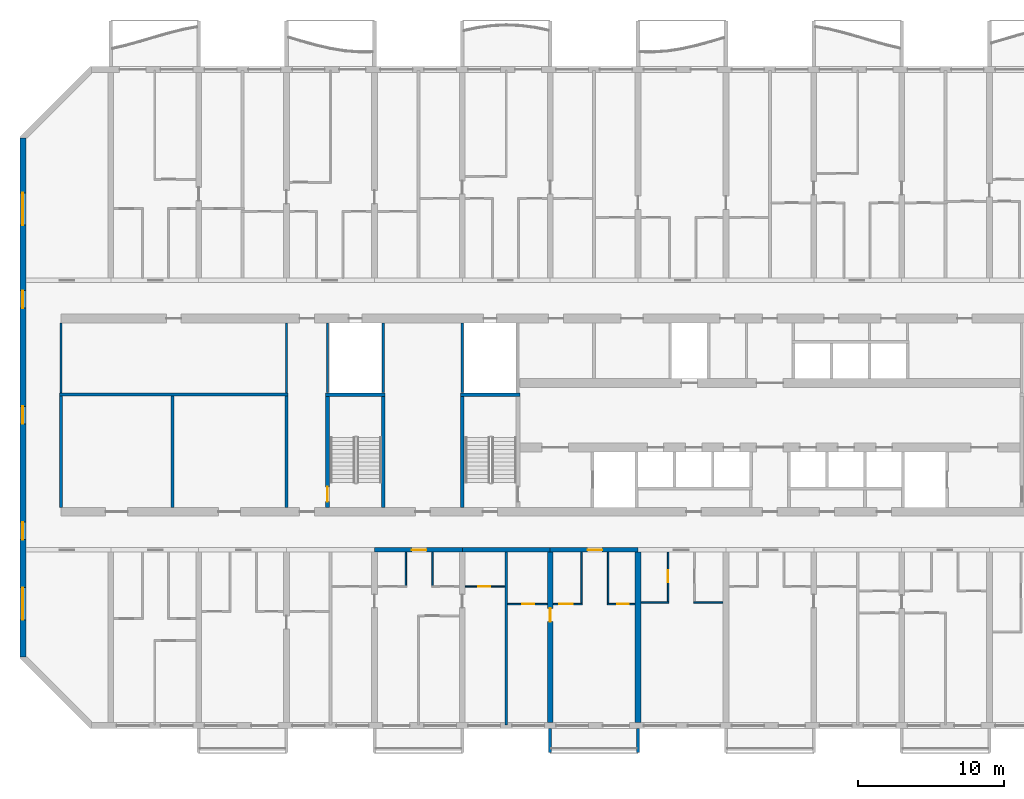
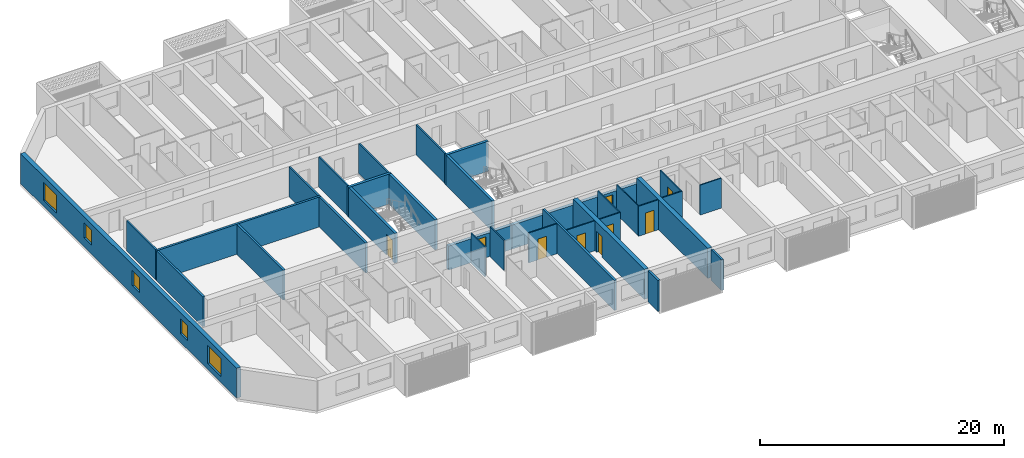
# One storey, part 3 of 38: 34 walls, 9 doors, 5 windows, 14 openings.
"""IFC4 building model written with IfcOpenShell, lengths in metres."""

from ifc_helpers import new_model, si_unit, direction, frame, frame_2d, origin, place, context, subcontext, project, spatial, polyline, rectangle, outline, extrude, source, transform, mapped, material, layer, layer_set, type_object, element, fill, save


model = new_model("IFC4")

# Units and contexts
model_context = context("Model", 3, precision=1e-05, world=origin(), true_north=direction((0.0, 1.0)))
body_context = subcontext(model_context, "Body", "Model", "MODEL_VIEW")
ifc_project = project(units=[si_unit("LENGTHUNIT", "METRE"), si_unit("AREAUNIT", "SQUARE_METRE"), si_unit("VOLUMEUNIT", "CUBIC_METRE"), si_unit("PLANEANGLEUNIT", "RADIAN"), si_unit("MASSUNIT", "GRAM", prefix="KILO")], contexts=[model_context])

# Site, building, storey
site_placement = place(None, origin())
site = spatial("IfcSite", under=ifc_project, at=site_placement, CompositionType="ELEMENT")
building_placement = place(site_placement, origin())
building = spatial("IfcBuilding", under=site, at=building_placement, Name="Poui Terraces", CompositionType="ELEMENT")
storey_placement = place(building_placement, frame((0.0, 0.0, 49.800048828125)))
storey = spatial("IfcBuildingStorey", under=building, at=storey_placement, Name="L13", CompositionType="ELEMENT", Elevation=49.800048828125)

# Walls
ifc_material_1 = material(Name="Fire-rated plasterboard wall")
ifc_layer_1 = layer(ifc_material_1, 0.14990234375)
ifc_layer_set_1 = layer_set([ifc_layer_1], Name="Fire-rated plasterboard wall")
wall_type_1 = type_object("IfcWallType", Name="CORRIDOR WALL 150", PredefinedType="PARTITIONING", material=ifc_layer_set_1)
for number, where, z_axis, x_axis, name in (
    (1, (2.60009765625, 22.699951171875, 0.0), (0.0, 0.0, 1.0), (0.0, 1.0, 0.0), "CORRIDOR WALL 150"),
    (2, (18.0, 22.699951171875, 0.0), (0.0, 0.0, 1.0), (0.0, 1.0, 0.0), "CORRIDOR WALL 150"),
):
    element("IfcWall", number, at=place(storey_placement, frame(where, z_axis=z_axis, x_axis=x_axis)), inside=storey, type_object=wall_type_1, Name=name, PredefinedType="PARTITIONING", context=body_context, shape_type="SweptSolid", body=[
        extrude(rectangle(XDim=4.7900390625, YDim=0.14990234375, at=frame_2d((2.39501953125, 0.0))), origin(), (0.0, 0.0, 1.0), 3.0),
    ])

# Wall, opening, door
ifc_material_2 = material(Name="Concrete 80 MPa", Category="concrete")
ifc_layer_2 = layer(ifc_material_2, 0.300048828125)
ifc_layer_set_2 = layer_set([ifc_layer_2], Name="Concrete 80 MPa")
wall_type_2 = type_object("IfcWallType", Name="CORRIDOR WALL 300 80MPa", PredefinedType="SHEAR", material=ifc_layer_set_2)
wall_1_placement = place(storey_placement, frame((24.0, 12.0, 0.0), z_axis=(0.0, 0.0, 1.0), x_axis=(1.0, 0.0, 0.0)))
wall_1 = element("IfcWall", 3, at=wall_1_placement, inside=storey, type_object=wall_type_2, Name="CORRIDOR WALL LINE B BAY 5", PredefinedType="SHEAR", context=body_context, shape_type="SweptSolid", body=[
    extrude(rectangle(XDim=6.0, YDim=0.300048828125, at=frame_2d((3.0, 0.0))), origin(), (0.0, 0.0, 1.0), 2.39990234375),
])
opening_1_placement = place(wall_1_placement, frame((2.550048828125, 0.0, 0.0)))
opening_1 = element("IfcOpeningElement", 4, at=opening_1_placement, cuts=wall_1, Name="Opening FD30S", PredefinedType="OPENING", context=body_context, shape_type="SweptSolid", body=[
    extrude(rectangle(XDim=1.0, YDim=2.10009765625, at=frame_2d((0.5, 1.050048828125))), frame((0.0, 0.16015625, 0.0), z_axis=(0.0, -1.0, 0.0), x_axis=(1.0, 0.0, 0.0)), (0.0, 0.0, 1.0), 0.320068359375),
])
ifc_material_3 = material(Name="Steel fire door", Category="steel")
door_type_1 = type_object("IfcDoorType", Name="FLAT ENTRANCE DOOR 1000 X 2100", OperationType="NOTDEFINED", PredefinedType="DOOR", material=ifc_material_3)
door_1_placement = place(opening_1_placement, frame((1.0, 0.0, 0.0), z_axis=(0.0, 0.0, 1.0), x_axis=(-1.0, 0.0, 0.0)))
door_1 = element("IfcDoor", 5, at=door_1_placement, inside=storey, type_object=door_type_1, Name="FLAT ENTRANCE DOOR 105", OperationType="SINGLE_SWING_LEFT", OverallHeight=2.10009765625, OverallWidth=1.0, PredefinedType="DOOR", context=body_context, shape_type="SweptSolid", body=[
    extrude(rectangle(XDim=1.0, YDim=2.10009765625, at=frame_2d((0.5, 1.050048828125))), frame((0.0, 0.02490234375, 0.0), z_axis=(0.0, -1.0, 0.0), x_axis=(1.0, 0.0, 0.0)), (0.0, 0.0, 1.0), 0.050048828125),
])
fill(opening_1, door_1)

# Wall
wall_2_placement = place(storey_placement, frame((30.0, 12.0, 0.0), z_axis=(0.0, 0.0, 1.0), x_axis=(1.0, 0.0, 0.0)))
element("IfcWall", 6, at=wall_2_placement, inside=storey, type_object=wall_type_2, Name="CORRIDOR WALL LINE B BAY 6", PredefinedType="SHEAR", context=body_context, shape_type="SweptSolid", body=[
    extrude(rectangle(XDim=6.0, YDim=0.300048828125, at=frame_2d((3.0, 0.0))), origin(), (0.0, 0.0, 1.0), 2.39990234375),
])

# Wall, opening, door
wall_3_placement = place(storey_placement, frame((36.0, 12.0, 0.0), z_axis=(0.0, 0.0, 1.0), x_axis=(1.0, 0.0, 0.0)))
wall_3 = element("IfcWall", 7, at=wall_3_placement, inside=storey, type_object=wall_type_2, Name="CORRIDOR WALL LINE B BAY 7", PredefinedType="SHEAR", context=body_context, shape_type="SweptSolid", body=[
    extrude(rectangle(XDim=6.0, YDim=0.300048828125, at=frame_2d((3.0, 0.0))), origin(), (0.0, 0.0, 1.0), 2.39990234375),
])
opening_2_placement = place(wall_3_placement, frame((2.550048828125, 0.0, 0.0)))
opening_2 = element("IfcOpeningElement", 8, at=opening_2_placement, cuts=wall_3, Name="Opening FD30S", PredefinedType="OPENING", context=body_context, shape_type="SweptSolid", body=[
    extrude(rectangle(XDim=1.0, YDim=2.10009765625, at=frame_2d((0.5, 1.050048828125))), frame((0.0, 0.16015625, 0.0), z_axis=(0.0, -1.0, 0.0), x_axis=(1.0, 0.0, 0.0)), (0.0, 0.0, 1.0), 0.320068359375),
])
door_2_placement = place(opening_2_placement, frame((1.0, 0.0, 0.0), z_axis=(0.0, 0.0, 1.0), x_axis=(-1.0, 0.0, 0.0)))
door_2 = element("IfcDoor", 9, at=door_2_placement, inside=storey, type_object=door_type_1, Name="FLAT ENTRANCE DOOR 112", OperationType="SINGLE_SWING_LEFT", OverallHeight=2.10009765625, OverallWidth=1.0, PredefinedType="DOOR", context=body_context, shape_type="SweptSolid", body=[
    extrude(rectangle(XDim=1.0, YDim=2.10009765625, at=frame_2d((0.5, 1.050048828125))), frame((0.0, 0.02490234375, 0.0), z_axis=(0.0, -1.0, 0.0), x_axis=(1.0, 0.0, 0.0)), (0.0, 0.0, 1.0), 0.050048828125),
])
fill(opening_2, door_2)

ifc_layer_3 = layer(ifc_material_2, 0.39990234375)
ifc_layer_set_3 = layer_set([ifc_layer_3], Name="Concrete 80 MPa")
wall_type_3 = type_object("IfcWallType", Name="CROSS WALL 400 80MPa", PredefinedType="SHEAR", material=ifc_layer_set_3)
wall_4_placement = place(storey_placement, frame((36.0, 0.199951171875, 0.0), z_axis=(0.0, 0.0, 1.0), x_axis=(0.0, 1.0, 0.0)))
wall_4 = element("IfcWall", 10, at=wall_4_placement, inside=storey, type_object=wall_type_3, Name="CROSS WALL LINE 7 SOUTH", PredefinedType="SHEAR", context=body_context, shape_type="SweptSolid", body=[
    extrude(rectangle(XDim=11.650146484375, YDim=0.39990234375, at=frame_2d((5.8251953125, 0.0))), origin(), (0.0, 0.0, 1.0), 3.0),
])
opening_3_placement = place(wall_4_placement, frame((6.89990234375, 0.0, 0.0)))
opening_3 = element("IfcOpeningElement", 11, at=opening_3_placement, cuts=wall_4, Name="Opening D90", PredefinedType="OPENING", context=body_context, shape_type="SweptSolid", body=[
    extrude(rectangle(XDim=0.89990234375, YDim=2.10009765625, at=frame_2d((0.449951171875, 1.050048828125))), frame((0.0, 0.2099609375, 0.0), z_axis=(0.0, -1.0, 0.0), x_axis=(1.0, 0.0, 0.0)), (0.0, 0.0, 1.0), 0.419921875),
])
ifc_material_4 = material(Name="Solid core timber door", Category="wood")
door_type_2 = type_object("IfcDoorType", Name="INTERNAL DOOR 900 X 2100", OperationType="NOTDEFINED", PredefinedType="DOOR", material=ifc_material_4)
door_3_placement = place(opening_3_placement, origin())
door_3 = element("IfcDoor", 12, at=door_3_placement, inside=storey, type_object=door_type_2, Name="INTERNAL DOOR 110", OperationType="SINGLE_SWING_RIGHT", OverallHeight=2.10009765625, OverallWidth=0.89990234375, PredefinedType="DOOR", context=body_context, shape_type="SweptSolid", body=[
    extrude(rectangle(XDim=0.89990234375, YDim=2.10009765625, at=frame_2d((0.449951171875, 1.050048828125))), frame((0.0, 0.02490234375, 0.0), z_axis=(0.0, -1.0, 0.0), x_axis=(1.0, 0.0, 0.0)), (0.0, 0.0, 1.0), 0.050048828125),
])
fill(opening_3, door_3)

# Wall
wall_5_placement = place(storey_placement, frame((42.0, 0.199951171875, 0.0), z_axis=(0.0, 0.0, 1.0), x_axis=(0.0, 1.0, 0.0)))
element("IfcWall", 13, at=wall_5_placement, inside=storey, type_object=wall_type_3, Name="CROSS WALL LINE 8 SOUTH", PredefinedType="SHEAR", context=body_context, shape_type="SweptSolid", body=[
    extrude(rectangle(XDim=11.650146484375, YDim=0.39990234375, at=frame_2d((5.8251953125, 0.0))), origin(), (0.0, 0.0, 1.0), 3.0),
])

# Wall, openings, windows
ifc_layer_4 = layer(ifc_material_2, 0.39990234375)
ifc_layer_set_4 = layer_set([ifc_layer_4], Name="Concrete 80 MPa")
wall_type_4 = type_object("IfcWallType", Name="END WALL 400 80MPa", PredefinedType="SHEAR", material=ifc_layer_set_4)
wall_6_placement = place(storey_placement, frame((0.0, 4.682861328125, 0.0), z_axis=(0.0, 0.0, 1.0), x_axis=(0.0, 1.0, 0.0)))
wall_6 = element("IfcWall", 14, at=wall_6_placement, inside=storey, type_object=wall_type_4, Name="END WALL WEST", PredefinedType="SHEAR", context=body_context, shape_type="SweptSolid", body=[
    extrude(rectangle(XDim=35.434326171875, YDim=0.39990234375, at=frame_2d((17.71728515625, 0.0))), origin(), (0.0, 0.0, 1.0), 3.0),
])
opening_4_placement = place(wall_6_placement, frame((23.817138671875, 0.0, 0.89990234375)))
opening_4 = element("IfcOpeningElement", 15, at=opening_4_placement, cuts=wall_6, Name="Opening W2", PredefinedType="OPENING", context=body_context, shape_type="SweptSolid", body=[
    extrude(rectangle(XDim=1.199951171875, YDim=1.5, at=frame_2d((0.60009765625, 0.75))), frame((0.0, 0.2099609375, 0.0), z_axis=(0.0, -1.0, 0.0), x_axis=(1.0, 0.0, 0.0)), (0.0, 0.0, 1.0), 0.419921875),
])
opening_5_placement = place(wall_6_placement, frame((8.01708984375, 0.0, 0.89990234375)))
opening_5 = element("IfcOpeningElement", 16, at=opening_5_placement, cuts=wall_6, Name="Opening W2", PredefinedType="OPENING", context=body_context, shape_type="SweptSolid", body=[
    extrude(rectangle(XDim=1.199951171875, YDim=1.5, at=frame_2d((0.60009765625, 0.75))), frame((0.0, 0.2099609375, 0.0), z_axis=(0.0, -1.0, 0.0), x_axis=(1.0, 0.0, 0.0)), (0.0, 0.0, 1.0), 0.419921875),
])
opening_6_placement = place(wall_6_placement, frame((15.917236328125, 0.0, 0.89990234375)))
opening_6 = element("IfcOpeningElement", 17, at=opening_6_placement, cuts=wall_6, Name="Opening W2", PredefinedType="OPENING", context=body_context, shape_type="SweptSolid", body=[
    extrude(rectangle(XDim=1.199951171875, YDim=1.5, at=frame_2d((0.60009765625, 0.75))), frame((0.0, 0.2099609375, 0.0), z_axis=(0.0, -1.0, 0.0), x_axis=(1.0, 0.0, 0.0)), (0.0, 0.0, 1.0), 0.419921875),
])
opening_7_placement = place(wall_6_placement, frame((29.493408203125, 0.0, 0.60009765625)))
opening_7 = element("IfcOpeningElement", 18, at=opening_7_placement, cuts=wall_6, Name="Opening W3", PredefinedType="OPENING", context=body_context, shape_type="SweptSolid", body=[
    extrude(rectangle(XDim=2.199951171875, YDim=1.800048828125, at=frame_2d((1.10009765625, 0.89990234375))), frame((0.0, 0.2099609375, 0.0), z_axis=(0.0, -1.0, 0.0), x_axis=(1.0, 0.0, 0.0)), (0.0, 0.0, 1.0), 0.419921875),
])
opening_8_placement = place(wall_6_placement, frame((2.541015625, 0.0, 0.60009765625)))
opening_8 = element("IfcOpeningElement", 19, at=opening_8_placement, cuts=wall_6, Name="Opening W3", PredefinedType="OPENING", context=body_context, shape_type="SweptSolid", body=[
    extrude(rectangle(XDim=2.199951171875, YDim=1.800048828125, at=frame_2d((1.10009765625, 0.89990234375))), frame((0.0, 0.2099609375, 0.0), z_axis=(0.0, -1.0, 0.0), x_axis=(1.0, 0.0, 0.0)), (0.0, 0.0, 1.0), 0.419921875),
])
ifc_material_5 = material(Name="Clear glass in aluminium frame", Category="aluminium")
window_type_1 = type_object("IfcWindowType", Name="WINDOW 1200X1500", PartitioningType="SINGLE_PANEL", PredefinedType="WINDOW", material=ifc_material_5)
window_1_placement = place(opening_4_placement, origin())
window_1 = element("IfcWindow", 20, at=window_1_placement, inside=storey, type_object=window_type_1, Name="W2 WINDOW", OverallHeight=1.5, OverallWidth=1.199951171875, PartitioningType="SINGLE_PANEL", PredefinedType="WINDOW", context=body_context, shape_type="SweptSolid", body=[
    extrude(rectangle(XDim=1.199951171875, YDim=1.5, at=frame_2d((0.60009765625, 0.75))), frame((0.0, 0.030029296875, 0.0), z_axis=(0.0, -1.0, 0.0), x_axis=(1.0, 0.0, 0.0)), (0.0, 0.0, 1.0), 0.06005859375),
])
fill(opening_4, window_1)
window_2_placement = place(opening_5_placement, origin())
window_2 = element("IfcWindow", 21, at=window_2_placement, inside=storey, type_object=window_type_1, Name="W2 WINDOW", OverallHeight=1.5, OverallWidth=1.199951171875, PartitioningType="SINGLE_PANEL", PredefinedType="WINDOW", context=body_context, shape_type="SweptSolid", body=[
    extrude(rectangle(XDim=1.199951171875, YDim=1.5, at=frame_2d((0.60009765625, 0.75))), frame((0.0, 0.030029296875, 0.0), z_axis=(0.0, -1.0, 0.0), x_axis=(1.0, 0.0, 0.0)), (0.0, 0.0, 1.0), 0.06005859375),
])
fill(opening_5, window_2)
window_3_placement = place(opening_6_placement, origin())
window_3 = element("IfcWindow", 22, at=window_3_placement, inside=storey, type_object=window_type_1, Name="W2 WINDOW", OverallHeight=1.5, OverallWidth=1.199951171875, PartitioningType="SINGLE_PANEL", PredefinedType="WINDOW", context=body_context, shape_type="SweptSolid", body=[
    extrude(rectangle(XDim=1.199951171875, YDim=1.5, at=frame_2d((0.60009765625, 0.75))), frame((0.0, 0.030029296875, 0.0), z_axis=(0.0, -1.0, 0.0), x_axis=(1.0, 0.0, 0.0)), (0.0, 0.0, 1.0), 0.06005859375),
])
fill(opening_6, window_3)
window_type_2 = type_object("IfcWindowType", Name="WINDOW 2200X1800", PartitioningType="DOUBLE_PANEL_HORIZONTAL", PredefinedType="WINDOW", material=ifc_material_5)
window_4_placement = place(opening_7_placement, origin())
window_4 = element("IfcWindow", 23, at=window_4_placement, inside=storey, type_object=window_type_2, Name="W3 WINDOW", OverallHeight=1.800048828125, OverallWidth=2.199951171875, PartitioningType="DOUBLE_PANEL_HORIZONTAL", PredefinedType="WINDOW", context=body_context, shape_type="SweptSolid", body=[
    extrude(rectangle(XDim=2.199951171875, YDim=1.800048828125, at=frame_2d((1.10009765625, 0.89990234375))), frame((0.0, 0.030029296875, 0.0), z_axis=(0.0, -1.0, 0.0), x_axis=(1.0, 0.0, 0.0)), (0.0, 0.0, 1.0), 0.06005859375),
])
fill(opening_7, window_4)
window_5_placement = place(opening_8_placement, origin())
window_5 = element("IfcWindow", 24, at=window_5_placement, inside=storey, type_object=window_type_2, Name="W3 WINDOW", OverallHeight=1.800048828125, OverallWidth=2.199951171875, PartitioningType="DOUBLE_PANEL_HORIZONTAL", PredefinedType="WINDOW", context=body_context, shape_type="SweptSolid", body=[
    extrude(rectangle(XDim=2.199951171875, YDim=1.800048828125, at=frame_2d((1.10009765625, 0.89990234375))), frame((0.0, 0.030029296875, 0.0), z_axis=(0.0, -1.0, 0.0), x_axis=(1.0, 0.0, 0.0)), (0.0, 0.0, 1.0), 0.06005859375),
])
fill(opening_8, window_5)

# Wall, opening, door
ifc_material_6 = material(Name="Plasterboard partition")
ifc_layer_5 = layer(ifc_material_6, 0.10009765625)
ifc_layer_set_5 = layer_set([ifc_layer_5], Name="Plasterboard partition")
wall_type_5 = type_object("IfcWallType", Name="FLAT PARTITION 100", PredefinedType="PARTITIONING", material=ifc_layer_set_5)
wall_7_placement = place(storey_placement, frame((33.10009765625, 8.300048828125, 0.0), z_axis=(0.0, 0.0, 1.0), x_axis=(1.0, 0.0, 0.0)))
wall_7 = element("IfcWall", 25, at=wall_7_placement, inside=storey, type_object=wall_type_5, Name="FLAT PARTITION 100", PredefinedType="PARTITIONING", context=body_context, shape_type="SweptSolid", body=[
    extrude(rectangle(XDim=2.68994140625, YDim=0.10009765625, at=frame_2d((1.344970703125, 0.0))), origin(), (0.0, 0.0, 1.0), 3.0),
])
opening_9_placement = place(wall_7_placement, frame((1.0, 0.0, 0.0)))
opening_9 = element("IfcOpeningElement", 26, at=opening_9_placement, cuts=wall_7, Name="Opening D80", PredefinedType="OPENING", context=body_context, shape_type="SweptSolid", body=[
    extrude(rectangle(XDim=0.800048828125, YDim=2.10009765625, at=frame_2d((0.39990234375, 1.050048828125))), frame((0.0, 0.06005859375, 0.0), z_axis=(0.0, -1.0, 0.0), x_axis=(1.0, 0.0, 0.0)), (0.0, 0.0, 1.0), 0.1201171875),
])
door_type_3 = type_object("IfcDoorType", Name="BATHROOM, LAUNDRY AND STORE DOOR 800 X 2100", OperationType="NOTDEFINED", PredefinedType="DOOR", material=ifc_material_4)
door_4_placement = place(opening_9_placement, origin())
door_4 = element("IfcDoor", 27, at=door_4_placement, inside=storey, type_object=door_type_3, Name="BATHROOM, LAUNDRY AND STORE DOOR 109", OperationType="SINGLE_SWING_LEFT", OverallHeight=2.10009765625, OverallWidth=0.800048828125, PredefinedType="DOOR", context=body_context, shape_type="SweptSolid", body=[
    extrude(rectangle(XDim=0.800048828125, YDim=2.10009765625, at=frame_2d((0.39990234375, 1.050048828125))), frame((0.0, 0.02490234375, 0.0), z_axis=(0.0, -1.0, 0.0), x_axis=(1.0, 0.0, 0.0)), (0.0, 0.0, 1.0), 0.050048828125),
])
fill(opening_9, door_4)

wall_8_placement = place(storey_placement, frame((36.2099609375, 8.300048828125, 0.0), z_axis=(0.0, 0.0, 1.0), x_axis=(1.0, 0.0, 0.0)))
wall_8 = element("IfcWall", 28, at=wall_8_placement, inside=storey, type_object=wall_type_5, Name="FLAT PARTITION 100", PredefinedType="PARTITIONING", context=body_context, shape_type="SweptSolid", body=[
    extrude(rectangle(XDim=1.989990234375, YDim=0.10009765625, at=frame_2d((0.9951171875, 0.0))), origin(), (0.0, 0.0, 1.0), 3.0),
])
opening_10_placement = place(wall_8_placement, frame((0.4150390625, 0.0, 0.0)))
opening_10 = element("IfcOpeningElement", 29, at=opening_10_placement, cuts=wall_8, Name="Opening D90", PredefinedType="OPENING", context=body_context, shape_type="SweptSolid", body=[
    extrude(rectangle(XDim=0.89990234375, YDim=2.10009765625, at=frame_2d((0.449951171875, 1.050048828125))), frame((0.0, 0.06005859375, 0.0), z_axis=(0.0, -1.0, 0.0), x_axis=(1.0, 0.0, 0.0)), (0.0, 0.0, 1.0), 0.1201171875),
])
door_5_placement = place(opening_10_placement, origin())
door_5 = element("IfcDoor", 30, at=door_5_placement, inside=storey, type_object=door_type_2, Name="INTERNAL DOOR 111", OperationType="SINGLE_SWING_RIGHT", OverallHeight=2.10009765625, OverallWidth=0.89990234375, PredefinedType="DOOR", context=body_context, shape_type="SweptSolid", body=[
    extrude(rectangle(XDim=0.89990234375, YDim=2.10009765625, at=frame_2d((0.449951171875, 1.050048828125))), frame((0.0, 0.02490234375, 0.0), z_axis=(0.0, -1.0, 0.0), x_axis=(1.0, 0.0, 0.0)), (0.0, 0.0, 1.0), 0.050048828125),
])
fill(opening_10, door_5)

wall_9_placement = place(storey_placement, frame((39.89990234375, 8.300048828125, 0.0), z_axis=(0.0, 0.0, 1.0), x_axis=(1.0, 0.0, 0.0)))
wall_9 = element("IfcWall", 31, at=wall_9_placement, inside=storey, type_object=wall_type_5, Name="FLAT PARTITION 100", PredefinedType="PARTITIONING", context=body_context, shape_type="SweptSolid", body=[
    extrude(rectangle(XDim=1.89013671875, YDim=0.10009765625, at=frame_2d((0.945068359375, 0.0))), origin(), (0.0, 0.0, 1.0), 3.0),
])
opening_11_placement = place(wall_9_placement, frame((0.675048828125, 0.0, 0.0)))
opening_11 = element("IfcOpeningElement", 32, at=opening_11_placement, cuts=wall_9, Name="Opening D80", PredefinedType="OPENING", context=body_context, shape_type="SweptSolid", body=[
    extrude(rectangle(XDim=0.800048828125, YDim=2.10009765625, at=frame_2d((0.39990234375, 1.050048828125))), frame((0.0, 0.06005859375, 0.0), z_axis=(0.0, -1.0, 0.0), x_axis=(1.0, 0.0, 0.0)), (0.0, 0.0, 1.0), 0.1201171875),
])
door_6_placement = place(opening_11_placement, origin())
door_6 = element("IfcDoor", 33, at=door_6_placement, inside=storey, type_object=door_type_3, Name="BATHROOM, LAUNDRY AND STORE DOOR 113", OperationType="SINGLE_SWING_LEFT", OverallHeight=2.10009765625, OverallWidth=0.800048828125, PredefinedType="DOOR", context=body_context, shape_type="SweptSolid", body=[
    extrude(rectangle(XDim=0.800048828125, YDim=2.10009765625, at=frame_2d((0.39990234375, 1.050048828125))), frame((0.0, 0.02490234375, 0.0), z_axis=(0.0, -1.0, 0.0), x_axis=(1.0, 0.0, 0.0)), (0.0, 0.0, 1.0), 0.050048828125),
])
fill(opening_11, door_6)

# Walls
wall_10_placement = place(storey_placement, frame((42.2099609375, 8.39990234375, 0.0), z_axis=(0.0, 0.0, 1.0), x_axis=(1.0, 0.0, 0.0)))
element("IfcWall", 34, at=wall_10_placement, inside=storey, type_object=wall_type_5, Name="FLAT PARTITION 100", PredefinedType="PARTITIONING", context=body_context, shape_type="SweptSolid", body=[
    extrude(rectangle(XDim=1.89013671875, YDim=0.10009765625, at=frame_2d((0.945068359375, 0.0))), origin(), (0.0, 0.0, 1.0), 3.0),
])
wall_11_placement = place(storey_placement, frame((45.800048828125, 8.39990234375, 0.0), z_axis=(0.0, 0.0, 1.0), x_axis=(1.0, 0.0, 0.0)))
element("IfcWall", 35, at=wall_11_placement, inside=storey, type_object=wall_type_5, Name="FLAT PARTITION 100", PredefinedType="PARTITIONING", context=body_context, shape_type="SweptSolid", body=[
    extrude(rectangle(XDim=1.989990234375, YDim=0.10009765625, at=frame_2d((0.9951171875, 0.0))), origin(), (0.0, 0.0, 1.0), 3.0),
])

# Wall, opening, door
wall_12_placement = place(storey_placement, frame((30.2099609375, 9.5, 0.0), z_axis=(0.0, 0.0, 1.0), x_axis=(1.0, 0.0, 0.0)))
wall_12 = element("IfcWall", 36, at=wall_12_placement, inside=storey, type_object=wall_type_5, Name="FLAT PARTITION 100", PredefinedType="PARTITIONING", context=body_context, shape_type="SweptSolid", body=[
    extrude(rectangle(XDim=2.68994140625, YDim=0.10009765625, at=frame_2d((1.344970703125, 0.0))), origin(), (0.0, 0.0, 1.0), 3.0),
])
opening_12_placement = place(wall_12_placement, frame((0.889892578125, 0.0, 0.0)))
opening_12 = element("IfcOpeningElement", 37, at=opening_12_placement, cuts=wall_12, Name="Opening D80", PredefinedType="OPENING", context=body_context, shape_type="SweptSolid", body=[
    extrude(rectangle(XDim=0.800048828125, YDim=2.10009765625, at=frame_2d((0.39990234375, 1.050048828125))), frame((0.0, 0.06005859375, 0.0), z_axis=(0.0, -1.0, 0.0), x_axis=(1.0, 0.0, 0.0)), (0.0, 0.0, 1.0), 0.1201171875),
])
door_7_placement = place(opening_12_placement, origin())
door_7 = element("IfcDoor", 38, at=door_7_placement, inside=storey, type_object=door_type_3, Name="BATHROOM, LAUNDRY AND STORE DOOR 102", OperationType="SINGLE_SWING_RIGHT", OverallHeight=2.10009765625, OverallWidth=0.800048828125, PredefinedType="DOOR", context=body_context, shape_type="SweptSolid", body=[
    extrude(rectangle(XDim=0.800048828125, YDim=2.10009765625, at=frame_2d((0.39990234375, 1.050048828125))), frame((0.0, 0.02490234375, 0.0), z_axis=(0.0, -1.0, 0.0), x_axis=(1.0, 0.0, 0.0)), (0.0, 0.0, 1.0), 0.050048828125),
])
fill(opening_12, door_7)

# Walls
for number, where, z_axis, x_axis, name in (
    (39, (26.14990234375, 9.550048828125, 0.0), (0.0, 0.0, 1.0), (0.0, 1.0, 0.0), "FLAT PARTITION 100"),
    (40, (27.949951171875, 9.550048828125, 0.0), (0.0, 0.0, 1.0), (0.0, 1.0, 0.0), "FLAT PARTITION 100"),
):
    element("IfcWall", number, at=place(storey_placement, frame(where, z_axis=z_axis, x_axis=x_axis)), inside=storey, type_object=wall_type_5, Name=name, PredefinedType="PARTITIONING", context=body_context, shape_type="SweptSolid", body=[
        extrude(rectangle(XDim=2.2900390625, YDim=0.10009765625, at=frame_2d((1.14501953125, 0.0))), origin(), (0.0, 0.0, 1.0), 3.0),
    ])
for number, where, z_axis, x_axis, name in (
    (41, (38.14990234375, 8.35009765625, 0.0), (0.0, 0.0, 1.0), (0.0, 1.0, 0.0), "FLAT PARTITION 100"),
    (42, (39.949951171875, 8.35009765625, 0.0), (0.0, 0.0, 1.0), (0.0, 1.0, 0.0), "FLAT PARTITION 100"),
):
    element("IfcWall", number, at=place(storey_placement, frame(where, z_axis=z_axis, x_axis=x_axis)), inside=storey, type_object=wall_type_5, Name=name, PredefinedType="PARTITIONING", context=body_context, shape_type="SweptSolid", body=[
        extrude(rectangle(XDim=3.489990234375, YDim=0.10009765625, at=frame_2d((1.7451171875, 0.0))), origin(), (0.0, 0.0, 1.0), 3.0),
    ])

# Wall, opening, door
wall_13_placement = place(storey_placement, frame((44.050048828125, 8.449951171875, 0.0), z_axis=(0.0, 0.0, 1.0), x_axis=(0.0, 1.0, 0.0)))
wall_13 = element("IfcWall", 43, at=wall_13_placement, inside=storey, type_object=wall_type_5, Name="FLAT PARTITION 100", PredefinedType="PARTITIONING", context=body_context, shape_type="SweptSolid", body=[
    extrude(rectangle(XDim=3.39013671875, YDim=0.10009765625, at=frame_2d((1.695068359375, 0.0))), origin(), (0.0, 0.0, 1.0), 3.0),
])
opening_13_placement = place(wall_13_placement, frame((1.35009765625, 0.0, 0.0)))
opening_13 = element("IfcOpeningElement", 44, at=opening_13_placement, cuts=wall_13, Name="Opening D80", PredefinedType="OPENING", context=body_context, shape_type="SweptSolid", body=[
    extrude(rectangle(XDim=0.800048828125, YDim=2.10009765625, at=frame_2d((0.39990234375, 1.050048828125))), frame((0.0, 0.06005859375, 0.0), z_axis=(0.0, -1.0, 0.0), x_axis=(1.0, 0.0, 0.0)), (0.0, 0.0, 1.0), 0.1201171875),
])
door_8_placement = place(opening_13_placement, origin())
door_8 = element("IfcDoor", 45, at=door_8_placement, inside=storey, type_object=door_type_3, Name="BATHROOM, LAUNDRY AND STORE DOOR 114", OperationType="SINGLE_SWING_LEFT", OverallHeight=2.10009765625, OverallWidth=0.800048828125, PredefinedType="DOOR", context=body_context, shape_type="SweptSolid", body=[
    extrude(rectangle(XDim=0.800048828125, YDim=2.10009765625, at=frame_2d((0.39990234375, 1.050048828125))), frame((0.0, 0.02490234375, 0.0), z_axis=(0.0, -1.0, 0.0), x_axis=(1.0, 0.0, 0.0)), (0.0, 0.0, 1.0), 0.050048828125),
])
fill(opening_13, door_8)

# Walls
ifc_material_7 = material(Name="Fire-rated masonry wall", Category="masonry")
ifc_layer_6 = layer(ifc_material_7, 0.199951171875)
ifc_layer_set_6 = layer_set([ifc_layer_6], Name="Fire-rated masonry wall")
wall_type_6 = type_object("IfcWallType", Name="FLAT PARTY WALL 200", PredefinedType="PARTITIONING", material=ifc_layer_set_6)
wall_14_placement = place(storey_placement, frame((33.0, 0.06005859375, 0.0), z_axis=(0.0, 0.0, 1.0), x_axis=(0.0, 1.0, 0.0)))
element("IfcWall", 46, at=wall_14_placement, inside=storey, type_object=wall_type_6, Name="FLAT PARTY WALL 200", PredefinedType="PARTITIONING", context=body_context, shape_type="SweptSolid", body=[
    extrude(rectangle(XDim=11.780029296875, YDim=0.199951171875, at=frame_2d((5.89013671875, 0.0))), origin(), (0.0, 0.0, 1.0), 3.0),
])
ifc_layer_7 = layer(ifc_material_7, 0.199951171875)
ifc_layer_set_7 = layer_set([ifc_layer_7], Name="Fire-rated masonry wall")
wall_type_7 = type_object("IfcWallType", Name="PLANT ROOM WALL 200", PredefinedType="PARTITIONING", material=ifc_layer_set_7)
wall_15_placement = place(storey_placement, frame((2.5, 22.60009765625, 0.0), z_axis=(0.0, 0.0, 1.0), x_axis=(1.0, 0.0, 0.0)))
element("IfcWall", 47, at=wall_15_placement, inside=storey, type_object=wall_type_7, Name="PLANT ROOM WALL 200", PredefinedType="PARTITIONING", context=body_context, shape_type="SweptSolid", body=[
    extrude(rectangle(XDim=15.60009765625, YDim=0.199951171875, at=frame_2d((7.800048828125, 0.0))), origin(), (0.0, 0.0, 1.0), 3.0),
])
for number, where, z_axis, x_axis, name in (
    (48, (2.60009765625, 14.909912109375, 0.0), (0.0, 0.0, 1.0), (0.0, 1.0, 0.0), "PLANT ROOM WALL 200"),
    (49, (10.199951171875, 14.909912109375, 0.0), (0.0, 0.0, 1.0), (0.0, 1.0, 0.0), "PLANT ROOM WALL 200"),
    (50, (18.0, 14.909912109375, 0.0), (0.0, 0.0, 1.0), (0.0, 1.0, 0.0), "PLANT ROOM WALL 200"),
):
    element("IfcWall", number, at=place(storey_placement, frame(where, z_axis=z_axis, x_axis=x_axis)), inside=storey, type_object=wall_type_7, Name=name, PredefinedType="PARTITIONING", context=body_context, shape_type="SweptSolid", body=[
        extrude(rectangle(XDim=7.590087890625, YDim=0.199951171875, at=frame_2d((3.794921875, 0.0))), origin(), (0.0, 0.0, 1.0), 3.0),
    ])
ifc_material_8 = material(Name="Fire-rated plasterboard riser wall")
ifc_layer_8 = layer(ifc_material_8, 0.14990234375)
ifc_layer_set_8 = layer_set([ifc_layer_8], Name="Fire-rated plasterboard riser wall")
wall_type_8 = type_object("IfcWallType", Name="RISER WALL 150", PredefinedType="PARTITIONING", material=ifc_layer_set_8)
for number, where, z_axis, x_axis, name in (
    (51, (20.800048828125, 22.735107421875, 0.0), (0.0, 0.0, 1.0), (0.0, 1.0, 0.0), "RISER WALL 150"),
    (52, (24.60009765625, 22.735107421875, 0.0), (0.0, 0.0, 1.0), (0.0, 1.0, 0.0), "RISER WALL 150"),
    (53, (30.0, 22.735107421875, 0.0), (0.0, 0.0, 1.0), (0.0, 1.0, 0.0), "RISER WALL 150"),
):
    element("IfcWall", number, at=place(storey_placement, frame(where, z_axis=z_axis, x_axis=x_axis)), inside=storey, type_object=wall_type_8, Name=name, PredefinedType="PARTITIONING", context=body_context, shape_type="SweptSolid", body=[
        extrude(rectangle(XDim=4.7548828125, YDim=0.14990234375, at=frame_2d((2.37744140625, 0.0))), origin(), (0.0, 0.0, 1.0), 3.0),
    ])
ifc_layer_9 = layer(ifc_material_2, 0.25)
ifc_layer_set_9 = layer_set([ifc_layer_9], Name="Concrete 80 MPa")
wall_type_9 = type_object("IfcWallType", Name="STAIR CORE WALL 250 80 MPA", PredefinedType="SOLIDWALL", material=ifc_layer_set_9)
wall_16_placement = place(storey_placement, frame((30.0, 14.89990234375, 0.0), z_axis=(0.0, 0.0, 1.0), x_axis=(0.0, 1.0, 0.0)))
element("IfcWall", 54, at=wall_16_placement, inside=storey, type_object=wall_type_9, Name="STAIR CORE WALL", PredefinedType="SOLIDWALL", context=body_context, shape_type="SweptSolid", body=[
    extrude(rectangle(XDim=7.5751953125, YDim=0.25, at=frame_2d((3.78759765625, 0.0))), origin(), (0.0, 0.0, 1.0), 3.0),
])
wall_17_placement = place(storey_placement, frame((29.875, 22.60009765625, 0.0), z_axis=(0.0, 0.0, 1.0), x_axis=(1.0, 0.0, 0.0)))
element("IfcWall", 55, at=wall_17_placement, inside=storey, type_object=wall_type_9, Name="STAIR CORE WALL", PredefinedType="SOLIDWALL", context=body_context, shape_type="SweptSolid", body=[
    extrude(rectangle(XDim=4.050048828125, YDim=0.25, at=frame_2d((2.02490234375, 0.0))), origin(), (0.0, 0.0, 1.0), 3.0),
])

# Wall, opening, door
wall_18_placement = place(storey_placement, frame((20.800048828125, 14.89990234375, 0.0), z_axis=(0.0, 0.0, 1.0), x_axis=(0.0, 1.0, 0.0)))
wall_18 = element("IfcWall", 56, at=wall_18_placement, inside=storey, type_object=wall_type_9, Name="STAIR CORE WALL", PredefinedType="SOLIDWALL", context=body_context, shape_type="SweptSolid", body=[
    extrude(rectangle(XDim=7.5751953125, YDim=0.25, at=frame_2d((3.78759765625, 0.0))), origin(), (0.0, 0.0, 1.0), 3.0),
])
opening_14_placement = place(wall_18_placement, frame((0.39990234375, 0.0, 0.0)))
opening_14 = element("IfcOpeningElement", 57, at=opening_14_placement, cuts=wall_18, Name="Opening FD60S", PredefinedType="OPENING", context=body_context, shape_type="SweptSolid", body=[
    extrude(rectangle(XDim=1.0, YDim=2.10009765625, at=frame_2d((0.5, 1.050048828125))), frame((0.0, 0.135009765625, 0.0), z_axis=(0.0, -1.0, 0.0), x_axis=(1.0, 0.0, 0.0)), (0.0, 0.0, 1.0), 0.27001953125),
])
door_type_4 = type_object("IfcDoorType", Name="STAIR DOOR 1000 X 2100", OperationType="NOTDEFINED", PredefinedType="DOOR", material=ifc_material_3)
door_9_placement = place(opening_14_placement, frame((1.0, 0.0, 0.0), z_axis=(0.0, 0.0, 1.0), x_axis=(-1.0, 0.0, 0.0)))
door_9 = element("IfcDoor", 58, at=door_9_placement, inside=storey, type_object=door_type_4, Name="STAIR DOOR 164", OperationType="SINGLE_SWING_RIGHT", OverallHeight=2.10009765625, OverallWidth=1.0, PredefinedType="DOOR", context=body_context, shape_type="SweptSolid", body=[
    extrude(rectangle(XDim=1.0, YDim=2.10009765625, at=frame_2d((0.5, 1.050048828125))), frame((0.0, 0.02490234375, 0.0), z_axis=(0.0, -1.0, 0.0), x_axis=(1.0, 0.0, 0.0)), (0.0, 0.0, 1.0), 0.050048828125),
])
fill(opening_14, door_9)

# Walls
wall_19_placement = place(storey_placement, frame((24.60009765625, 14.89990234375, 0.0), z_axis=(0.0, 0.0, 1.0), x_axis=(0.0, 1.0, 0.0)))
element("IfcWall", 59, at=wall_19_placement, inside=storey, type_object=wall_type_9, Name="STAIR CORE WALL", PredefinedType="SOLIDWALL", context=body_context, shape_type="SweptSolid", body=[
    extrude(rectangle(XDim=7.5751953125, YDim=0.25, at=frame_2d((3.78759765625, 0.0))), origin(), (0.0, 0.0, 1.0), 3.0),
])
wall_20_placement = place(storey_placement, frame((20.675048828125, 22.60009765625, 0.0), z_axis=(0.0, 0.0, 1.0), x_axis=(1.0, 0.0, 0.0)))
element("IfcWall", 60, at=wall_20_placement, inside=storey, type_object=wall_type_9, Name="STAIR CORE WALL", PredefinedType="SOLIDWALL", context=body_context, shape_type="SweptSolid", body=[
    extrude(rectangle(XDim=4.050048828125, YDim=0.25, at=frame_2d((2.02490234375, 0.0))), origin(), (0.0, 0.0, 1.0), 3.0),
])
ifc_material_9 = material(Name="Precast concrete 40 MPa", Category="concrete")
ifc_layer_10 = layer(ifc_material_9, 0.199951171875)
ifc_layer_set_10 = layer_set([ifc_layer_10], Name="Precast concrete 40 MPa")
wall_type_10 = type_object("IfcWallType", Name="REAR FIN 200", PredefinedType="STANDARD", material=ifc_layer_set_10)
shared_shape = source(origin(), body_context, "Body", "SweptSolid", [
    extrude(outline(polyline([(0.0, 0.0), (0.2001953125, 0.0), (0.2001953125, 1.650146484375), (0.0, 1.650146484375), (0.0, 0.0)])), origin(), (0.0, 0.0, 1.0), 3.099853515625),
])
for number, where, name in (
    (61, (35.89990234375, -1.85009765625, 0.0), "REAR FIN"),
    (62, (41.89990234375, -1.85009765625, 0.0), "REAR FIN"),
):
    element("IfcWall", number, at=place(storey_placement, frame(where)), inside=storey, type_object=wall_type_10, Name=name, PredefinedType="STANDARD", context=body_context, shape_type="MappedRepresentation", body=[
        mapped(shared_shape, transform((0.0, 0.0, 0.0))),
    ])

save(model, "model.ifc")
